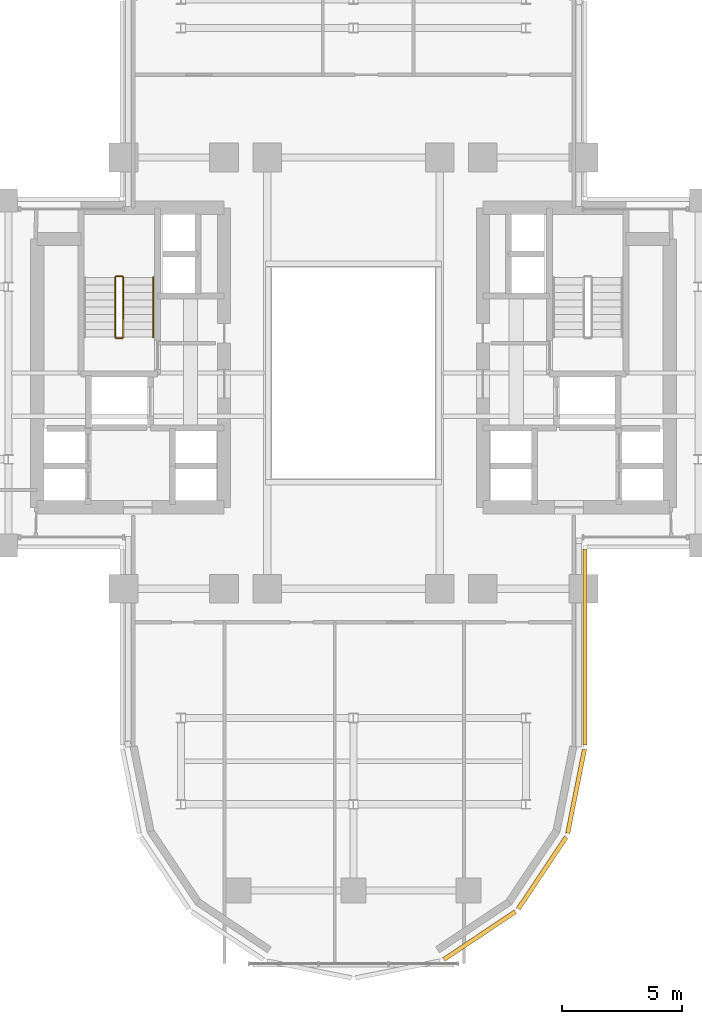
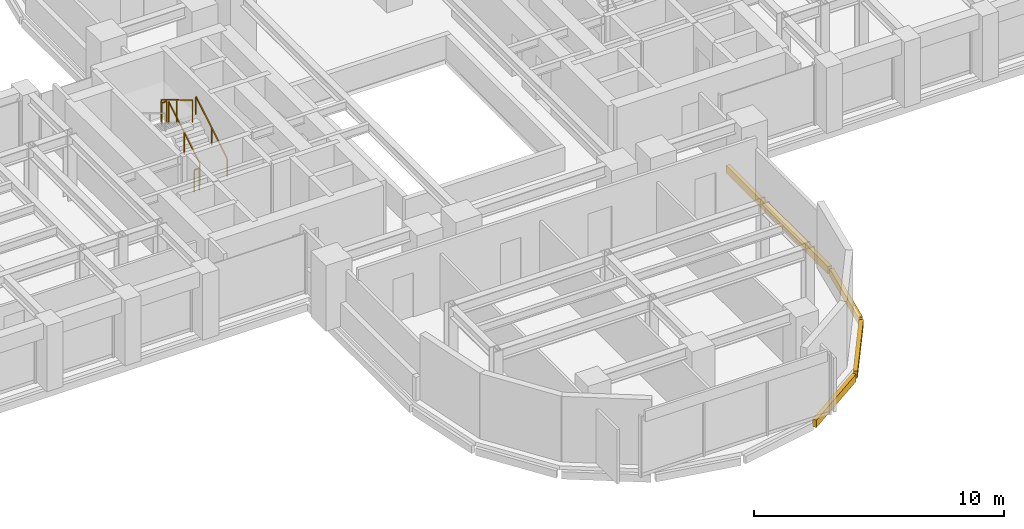
# One storey, part 14 of 16: 5 railings, 4 coverings.
"""IFC4 building model written with IfcOpenShell, lengths in metres."""

from ifc_helpers import new_model, si_unit, direction, frame, origin, origin_2d, place, context, subcontext, project, spatial, rectangle, extrude, source, transform, mapped, material, layer, layer_set, type_object, element, save


model = new_model("IFC4")

# Units and contexts
model_context = context("Model", 3, precision=1e-05, world=origin(), true_north=direction((0.0, 1.0)))
body_context = subcontext(model_context, "Body", "Model", "MODEL_VIEW")
ifc_project = project(units=[si_unit("LENGTHUNIT", "METRE"), si_unit("AREAUNIT", "SQUARE_METRE"), si_unit("VOLUMEUNIT", "CUBIC_METRE"), si_unit("PLANEANGLEUNIT", "RADIAN"), si_unit("MASSUNIT", "GRAM", prefix="KILO")], contexts=[model_context])

# Site, building, storey
site_placement = place(None, origin())
site = spatial("IfcSite", under=ifc_project, at=site_placement, CompositionType="ELEMENT")
building_placement = place(site_placement, origin())
building = spatial("IfcBuilding", under=site, at=building_placement, Name="Keilestroom Media Tower", CompositionType="ELEMENT")
storey_placement = place(building_placement, frame((0.0, 0.0, 78.199951171875)))
storey = spatial("IfcBuildingStorey", under=building, at=storey_placement, Name="L20", CompositionType="ELEMENT", Elevation=78.199951171875)

# Railings
ifc_material_1 = material(Name="Brushed Stainless Steel 1.4301", Category="steel")
railing_type_1 = type_object("IfcRailingType", Name="Stair-Pitch-Handrail-920", PredefinedType="HANDRAIL", material=ifc_material_1)
railing_1_placement = place(storey_placement, frame((-8.35009765625, 1.5, 0.18896484375)))
element("IfcRailing", 1, at=railing_1_placement, inside=storey, type_object=railing_type_1, Name="L20 ST-1 stair handrail 1", PredefinedType="HANDRAIL", context=body_context, shape_type="SweptSolid", body=[
    extrude(rectangle(XDim=0.048095703125, YDim=0.048095703125, at=origin_2d()), frame((0.0, 0.0, 0.8759765625), z_axis=(0.0, 0.855470815493, 0.517851024754), x_axis=(-1.0, 0.0, 0.0)), (0.0, 0.0, 1.0), 2.917724609375),
    extrude(rectangle(XDim=0.0419921875, YDim=0.0419921875, at=origin_2d()), origin(), (0.0, 0.0, 1.0), 0.84375),
    extrude(rectangle(XDim=0.0419921875, YDim=0.0419921875, at=origin_2d()), frame((0.0, 1.248046875, 0.75537109375)), (0.0, 0.0, 1.0), 0.84375),
    extrude(rectangle(XDim=0.0419921875, YDim=0.0419921875, at=origin_2d()), frame((0.0, 2.49609375, 1.510986328125)), (0.0, 0.0, 1.0), 0.84375),
])
ifc_material_2 = material(Name="Painted Steel Balustrade", Category="steel")
railing_type_2 = type_object("IfcRailingType", Name="Stair-Well-And-Landing-Guard-1100", PredefinedType="GUARDRAIL", material=ifc_material_2)
railing_2_placement = place(storey_placement, frame((-9.610107421875, 1.5, 0.18896484375)))
element("IfcRailing", 2, at=railing_2_placement, inside=storey, type_object=railing_type_2, Name="L20 ST-1 stair guard 1", PredefinedType="GUARDRAIL", context=body_context, shape_type="SweptSolid", body=[
    extrude(rectangle(XDim=0.048095703125, YDim=0.048095703125, at=origin_2d()), frame((0.0, 0.0, 1.076171875), z_axis=(0.0, 0.855470815493, 0.517851024754), x_axis=(-1.0, 0.0, 0.0)), (0.0, 0.0, 1.0), 2.917724609375),
    extrude(rectangle(XDim=0.0419921875, YDim=0.0419921875, at=origin_2d()), origin(), (0.0, 0.0, 1.0), 1.0439453125),
    extrude(rectangle(XDim=0.0419921875, YDim=0.0419921875, at=origin_2d()), frame((0.0, 1.248046875, 0.75537109375)), (0.0, 0.0, 1.0), 1.0439453125),
    extrude(rectangle(XDim=0.0419921875, YDim=0.0419921875, at=origin_2d()), frame((0.0, 2.49609375, 1.510986328125)), (0.0, 0.0, 1.0), 1.0439453125),
])
railing_3_placement = place(storey_placement, frame((-9.659912109375, 4.0458984375, 1.699951171875)))
element("IfcRailing", 3, at=railing_3_placement, inside=storey, type_object=railing_type_2, Name="L20 ST-1 stair guard 2", PredefinedType="GUARDRAIL", context=body_context, shape_type="SweptSolid", body=[
    extrude(rectangle(XDim=0.048095703125, YDim=0.048095703125, at=origin_2d()), frame((0.0, 0.0, 1.076171875), z_axis=(-1.0, 0.0, 0.0), x_axis=(0.0, -1.0, 0.0)), (0.0, 0.0, 1.0), 0.239990234375),
    extrude(rectangle(XDim=0.0419921875, YDim=0.0419921875, at=origin_2d()), origin(), (0.0, 0.0, 1.0), 1.0439453125),
    extrude(rectangle(XDim=0.0419921875, YDim=0.0419921875, at=origin_2d()), frame((-0.239990234375, 0.0, 0.0)), (0.0, 0.0, 1.0), 1.0439453125),
])
railing_4_placement = place(storey_placement, frame((-9.949951171875, 3.99609375, 1.888916015625)))
element("IfcRailing", 4, at=railing_4_placement, inside=storey, type_object=railing_type_2, Name="L20 ST-1 stair guard 3", PredefinedType="GUARDRAIL", context=body_context, shape_type="SweptSolid", body=[
    extrude(rectangle(XDim=0.048095703125, YDim=0.048095703125, at=origin_2d()), frame((0.0, 0.0, 1.076171875), z_axis=(0.0, -0.855433747314, 0.517912255074), x_axis=(1.0, 0.0, 0.0)), (0.0, 0.0, 1.0), 2.91796875),
    extrude(rectangle(XDim=0.0419921875, YDim=0.0419921875, at=origin_2d()), origin(), (0.0, 0.0, 1.0), 1.0439453125),
    extrude(rectangle(XDim=0.0419921875, YDim=0.0419921875, at=origin_2d()), frame((0.0, -1.248046875, 0.755615234375)), (0.0, 0.0, 1.0), 1.0439453125),
    extrude(rectangle(XDim=0.0419921875, YDim=0.0419921875, at=origin_2d()), frame((0.0, -2.49609375, 1.51123046875)), (0.0, 0.0, 1.0), 1.0439453125),
])
railing_5_placement = place(storey_placement, frame((-9.659912109375, 1.449951171875, 0.0)))
element("IfcRailing", 5, at=railing_5_placement, inside=storey, type_object=railing_type_2, Name="L20 ST-1 stair guard 4", PredefinedType="GUARDRAIL", context=body_context, shape_type="SweptSolid", body=[
    extrude(rectangle(XDim=0.048095703125, YDim=0.048095703125, at=origin_2d()), frame((0.0, 0.0, 1.076171875), z_axis=(-1.0, 0.0, 0.0), x_axis=(0.0, -1.0, 0.0)), (0.0, 0.0, 1.0), 0.239990234375),
    extrude(rectangle(XDim=0.0419921875, YDim=0.0419921875, at=origin_2d()), origin(), (0.0, 0.0, 1.0), 1.0439453125),
    extrude(rectangle(XDim=0.0419921875, YDim=0.0419921875, at=origin_2d()), frame((-0.239990234375, 0.0, 0.0)), (0.0, 0.0, 1.0), 1.0439453125),
])

# Coverings
ifc_material_3 = material(Name="Precast concrete C40/50", Category="concrete")
ifc_layer = layer(ifc_material_3, 0.1201171875)
ifc_layer_set = layer_set([ifc_layer], Name="Precast concrete C40/50")
covering_type = type_object("IfcCoveringType", Name="Exterior-Precast-Spandrel-Cladding-Panel-120", PredefinedType="CLADDING", material=ifc_layer_set)
shared_shape_1 = source(origin(), body_context, "Body", "SweptSolid", [
    extrude(rectangle(XDim=8.166015625, YDim=0.179931640625, at=origin_2d()), origin(), (0.0, 0.0, 1.0), 0.360107421875),
])
covering_1_placement = place(storey_placement, frame((9.659912109375, -11.43310546875, -0.5400390625), z_axis=(0.0, 0.0, 1.0), x_axis=(0.0, -1.0, 0.0)))
element("IfcCovering", 6, at=covering_1_placement, inside=storey, type_object=covering_type, Name="L20 Precast Slab-Edge Fascia Cornice 06", PredefinedType="CLADDING", context=body_context, shape_type="MappedRepresentation", body=[
    mapped(shared_shape_1, transform((0.0, 0.0, 0.0), x_axis=(1.0, 0.0, 0.0), y_axis=(0.0, 1.0, 0.0), z_axis=(0.0, 0.0, 1.0), scale=1.0)),
])
shared_shape_2 = source(origin(), body_context, "Body", "SweptSolid", [
    extrude(rectangle(XDim=3.58349609375, YDim=0.179931640625, at=origin_2d()), origin(), (0.0, 0.0, 1.0), 0.360107421875),
])
covering_2_placement = place(storey_placement, frame((9.29296875, -17.45166015625, -0.5400390625), z_axis=(0.0, 0.0, 1.0), x_axis=(-0.195098880975, -0.980783577882, 0.0)))
element("IfcCovering", 7, at=covering_2_placement, inside=storey, type_object=covering_type, Name="L20 Precast Slab-Edge Fascia Cornice 07", PredefinedType="CLADDING", context=body_context, shape_type="MappedRepresentation", body=[
    mapped(shared_shape_2, transform((0.0, 0.0, 0.0), x_axis=(1.0, 0.0, 0.0), y_axis=(0.0, 1.0, 0.0), z_axis=(0.0, 0.0, 1.0), scale=1.0)),
])
shared_shape_3 = source(origin(), body_context, "Body", "SweptSolid", [
    extrude(rectangle(XDim=3.589599609375, YDim=0.179931640625, at=origin_2d()), origin(), (0.0, 0.0, 1.0), 0.360107421875),
])
for number, where, z_axis, x_axis, name in (
    (8, (7.878662109375, -20.8642578125, -0.5400390625), (0.0, 0.0, 1.0), (-0.555574586577, -0.831466703332, 0.0), "L20 Precast Slab-Edge Fascia Cornice 08"),
    (9, (5.264404296875, -23.478515625, -0.5400390625), (0.0, 0.0, 1.0), (-0.831466703332, -0.555574586577, 0.0), "L20 Precast Slab-Edge Fascia Cornice 09"),
):
    element("IfcCovering", number, at=place(storey_placement, frame(where, z_axis=z_axis, x_axis=x_axis)), inside=storey, type_object=covering_type, Name=name, PredefinedType="CLADDING", context=body_context, shape_type="MappedRepresentation", body=[
        mapped(shared_shape_3, transform((0.0, 0.0, 0.0), x_axis=(1.0, 0.0, 0.0), y_axis=(0.0, 1.0, 0.0), z_axis=(0.0, 0.0, 1.0), scale=1.0)),
    ])

save(model, "model.ifc")
